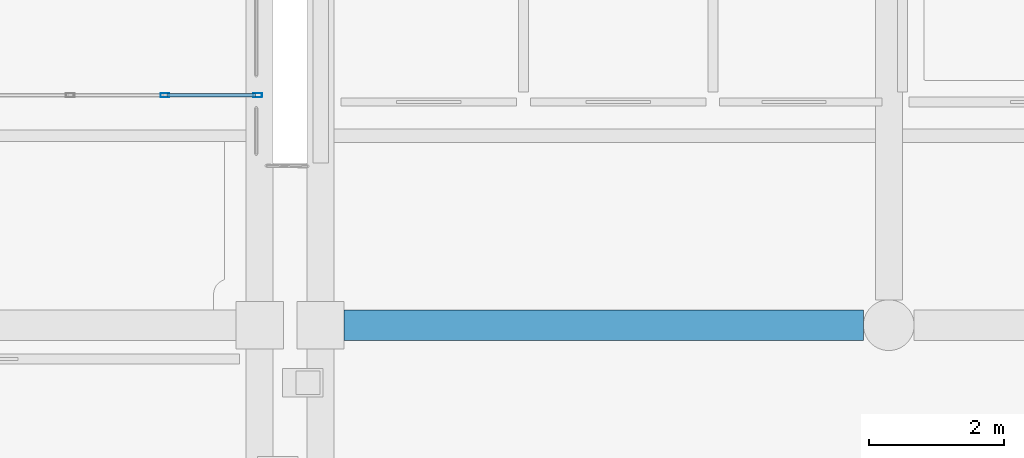
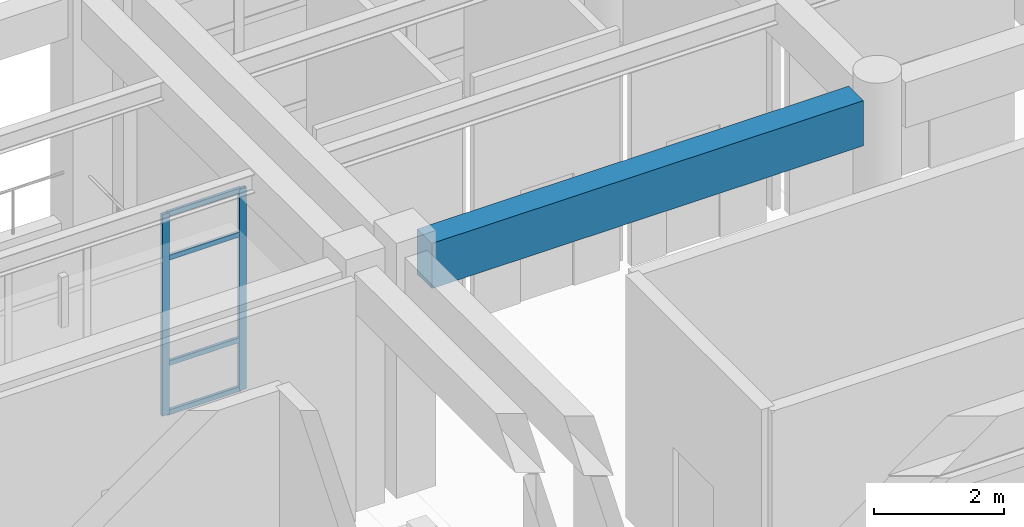
# One storey, part 13 of 111: 6 members, 1 beam, 1 element without a shape of its own.
"""IFC4 building model written with IfcOpenShell, lengths in metres."""

from ifc_helpers import new_model, si_unit, direction, frame, origin, origin_2d, place, context, subcontext, project, spatial, rectangle, hollow_rectangle, extrude, material, material_profile, profile_set, type_object, element, aggregate, save


model = new_model("IFC4")

# Units and contexts
model_context = context("Model", 3, precision=1e-05, world=origin(), true_north=direction((0.0, 1.0)))
body_context = subcontext(model_context, "Body", "Model", "MODEL_VIEW")
ifc_project = project(units=[si_unit("LENGTHUNIT", "METRE"), si_unit("AREAUNIT", "SQUARE_METRE"), si_unit("VOLUMEUNIT", "CUBIC_METRE"), si_unit("PLANEANGLEUNIT", "RADIAN"), si_unit("MASSUNIT", "GRAM", prefix="KILO")], contexts=[model_context])

# Site, building, storey
site_placement = place(None, origin())
site = spatial("IfcSite", under=ifc_project, at=site_placement, CompositionType="ELEMENT")
building_placement = place(site_placement, origin())
building = spatial("IfcBuilding", under=site, at=building_placement, Name="Canglan Escarpment Cableway Terminal", CompositionType="ELEMENT")
storey_placement = place(building_placement, frame((0.0, 0.0, 4.800048828125)))
storey = spatial("IfcBuildingStorey", under=building, at=storey_placement, Name="L01", CompositionType="ELEMENT", Elevation=4.800048828125)

# Beam
ifc_material_1 = material(Name="Concrete C40", Category="concrete")
ifc_material_profile_1 = material_profile(ifc_material_1, rectangle(XDim=0.449951171875, YDim=0.85009765625, at=origin_2d()), Name="RC 450x850")
ifc_profile_set_1 = profile_set([ifc_material_profile_1], Name="Concrete C40")
beam_type = type_object("IfcBeamType", Name="BM-RC450x850", PredefinedType="BEAM", material=ifc_profile_set_1)
beam_placement = place(storey_placement, frame((42.85009765625, 16.39990234375, 4.054931640625), z_axis=(1.0, 0.0, 0.0), x_axis=(0.0, 1.0, 0.0)))
element("IfcBeam", 1, at=beam_placement, inside=storey, type_object=beam_type, Name="Primary structural girder B-02", PredefinedType="BEAM", context=body_context, shape_type="SweptSolid", body=[
    extrude(rectangle(XDim=0.449951171875, YDim=0.85009765625, at=origin_2d()), origin(), (0.0, 0.0, 1.0), 7.6748046875),
])

# Curtain wall, members
ifc_material_2 = material(Name="Anodized bronze aluminium and Low-E double glazing", Category="aluminium")
curtain_wall_type = type_object("IfcCurtainWallType", Name="CW-BAY-8400x3775", PredefinedType="NOTDEFINED", material=ifc_material_2)
curtain_wall_placement = place(storey_placement, origin())
curtain_wall = element("IfcCurtainWall", 2, at=curtain_wall_placement, inside=storey, type_object=curtain_wall_type, Name="Classical bay-between-piers glazed curtain wall CW-02", PredefinedType="NOTDEFINED")
ifc_material_3 = material(Name="Thermally broken anodized aluminium 6063-T6", Category="aluminium")
ifc_material_profile_2 = material_profile(ifc_material_3, hollow_rectangle(XDim=0.06005859375, YDim=0.1298828125, WallThickness=0.0029296875, InnerFilletRadius=0.0029296875, OuterFilletRadius=0.006103515625, at=origin_2d()), Name="ALU-MULL 60x130x3")
ifc_profile_set_2 = profile_set([ifc_material_profile_2], Name="Thermally broken anodized aluminium 6063-T6")
member_type_1 = type_object("IfcMemberType", Name="CWM-01", PredefinedType="MULLION", material=ifc_profile_set_2)
member_1_placement = place(storey_placement, frame((41.570068359375, 19.800048828125, 0.0), z_axis=(0.0, 0.0, 1.0), x_axis=(0.0, -1.0, 0.0)))
member_1 = element("IfcMember", 3, at=member_1_placement, type_object=member_type_1, Name="CW-02 mullion 1", PredefinedType="MULLION", context=body_context, shape_type="SweptSolid", body=[
    extrude(hollow_rectangle(XDim=0.06005859375, YDim=0.1298828125, WallThickness=0.0029296875, InnerFilletRadius=0.0029296875, OuterFilletRadius=0.006103515625, at=origin_2d()), origin(), (0.0, 0.0, 1.0), 3.784912109375),
])
member_2_placement = place(storey_placement, frame((40.199951171875, 19.800048828125, 0.0), z_axis=(0.0, 0.0, 1.0), x_axis=(0.0, -1.0, 0.0)))
member_2 = element("IfcMember", 4, at=member_2_placement, type_object=member_type_1, Name="CW-02 mullion 2", PredefinedType="MULLION", context=body_context, shape_type="SweptSolid", body=[
    extrude(hollow_rectangle(XDim=0.06005859375, YDim=0.1298828125, WallThickness=0.0029296875, InnerFilletRadius=0.0029296875, OuterFilletRadius=0.006103515625, at=origin_2d()), origin(), (0.0, 0.0, 1.0), 3.784912109375),
])
ifc_material_profile_3 = material_profile(ifc_material_3, hollow_rectangle(XDim=0.054931640625, YDim=0.094970703125, WallThickness=0.0029296875, InnerFilletRadius=0.0029296875, OuterFilletRadius=0.006103515625, at=origin_2d()), Name="ALU-TRAN 55x95x3")
ifc_profile_set_3 = profile_set([ifc_material_profile_3], Name="Thermally broken anodized aluminium 6063-T6")
member_type_2 = type_object("IfcMemberType", Name="CWT-01", PredefinedType="USERDEFINED", material=ifc_profile_set_3)
member_3_placement = place(storey_placement, frame((41.5400390625, 19.800048828125, 0.02734375), z_axis=(-1.0, 0.0, 0.0), x_axis=(0.0, -1.0, 0.0)))
member_3 = element("IfcMember", 5, at=member_3_placement, type_object=member_type_2, Name="CW-02 transom 1.1", ObjectType="TRANSOM", PredefinedType="USERDEFINED", context=body_context, shape_type="SweptSolid", body=[
    extrude(hollow_rectangle(XDim=0.054931640625, YDim=0.094970703125, WallThickness=0.0029296875, InnerFilletRadius=0.0029296875, OuterFilletRadius=0.006103515625, at=origin_2d()), origin(), (0.0, 0.0, 1.0), 1.31005859375),
])
member_4_placement = place(storey_placement, frame((41.5400390625, 19.800048828125, 0.949951171875), z_axis=(-1.0, 0.0, 0.0), x_axis=(0.0, -1.0, 0.0)))
member_4 = element("IfcMember", 6, at=member_4_placement, type_object=member_type_2, Name="CW-02 transom 1.2", ObjectType="TRANSOM", PredefinedType="USERDEFINED", context=body_context, shape_type="SweptSolid", body=[
    extrude(hollow_rectangle(XDim=0.054931640625, YDim=0.094970703125, WallThickness=0.0029296875, InnerFilletRadius=0.0029296875, OuterFilletRadius=0.006103515625, at=origin_2d()), origin(), (0.0, 0.0, 1.0), 1.31005859375),
])
member_5_placement = place(storey_placement, frame((41.5400390625, 19.800048828125, 2.93505859375), z_axis=(-1.0, 0.0, 0.0), x_axis=(0.0, -1.0, 0.0)))
member_5 = element("IfcMember", 7, at=member_5_placement, type_object=member_type_2, Name="CW-02 transom 1.3", ObjectType="TRANSOM", PredefinedType="USERDEFINED", context=body_context, shape_type="SweptSolid", body=[
    extrude(hollow_rectangle(XDim=0.054931640625, YDim=0.094970703125, WallThickness=0.0029296875, InnerFilletRadius=0.0029296875, OuterFilletRadius=0.006103515625, at=origin_2d()), origin(), (0.0, 0.0, 1.0), 1.31005859375),
])
member_6_placement = place(storey_placement, frame((41.5400390625, 19.800048828125, 3.757568359375), z_axis=(-1.0, 0.0, 0.0), x_axis=(0.0, -1.0, 0.0)))
member_6 = element("IfcMember", 8, at=member_6_placement, type_object=member_type_2, Name="CW-02 transom 1.4", ObjectType="TRANSOM", PredefinedType="USERDEFINED", context=body_context, shape_type="SweptSolid", body=[
    extrude(hollow_rectangle(XDim=0.054931640625, YDim=0.094970703125, WallThickness=0.0029296875, InnerFilletRadius=0.0029296875, OuterFilletRadius=0.006103515625, at=origin_2d()), origin(), (0.0, 0.0, 1.0), 1.31005859375),
])
aggregate(curtain_wall, [member_1, member_2, member_3, member_4, member_5, member_6])

save(model, "model.ifc")
